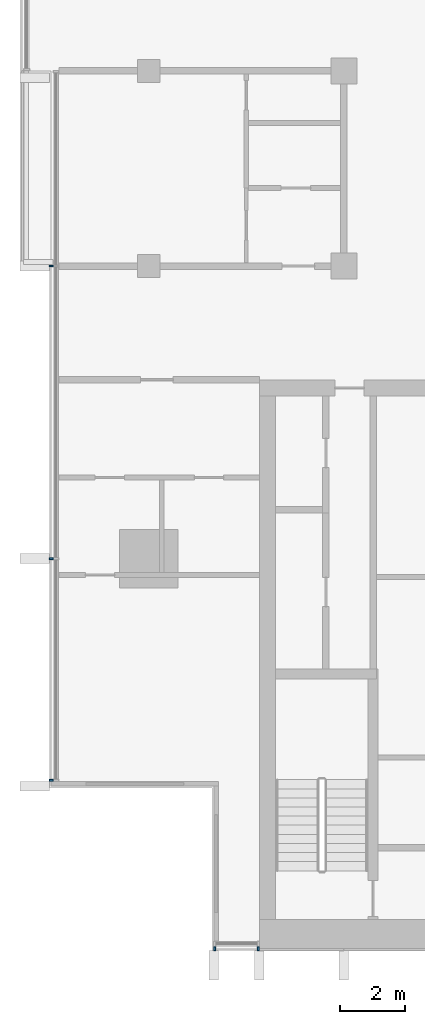
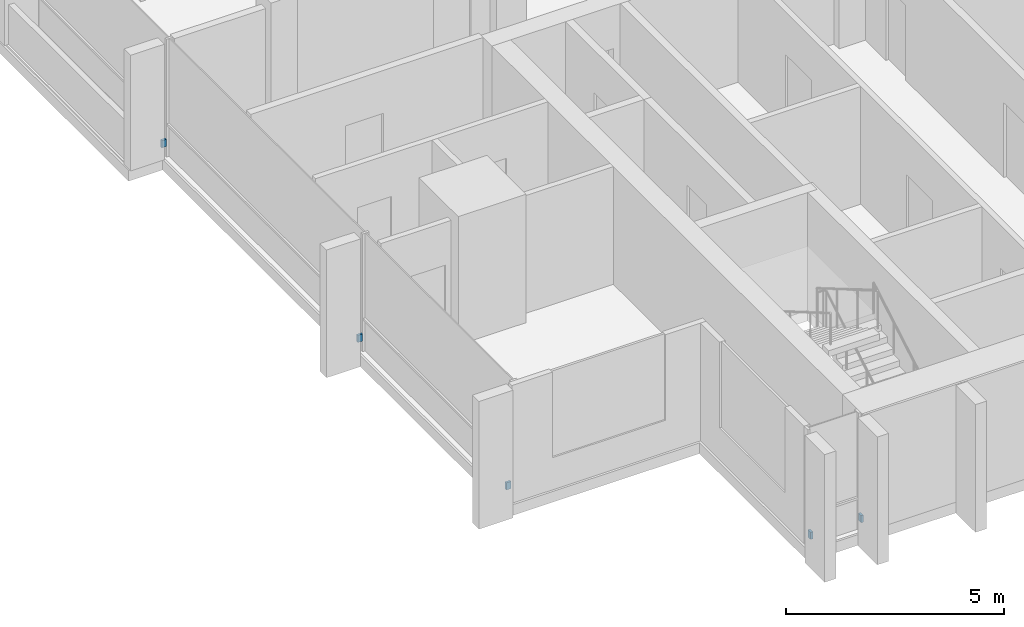
# One storey, part 12 of 16: 5 discrete accessories.
"""IFC4 building model written with IfcOpenShell, lengths in metres."""

from ifc_helpers import new_model, si_unit, direction, frame, origin, origin_2d, place, context, subcontext, project, spatial, rectangle, extrude, material, type_object, element, save


model = new_model("IFC4")

# Units and contexts
model_context = context("Model", 3, precision=1e-05, world=origin(), true_north=direction((0.0, 1.0)))
body_context = subcontext(model_context, "Body", "Model", "MODEL_VIEW")
ifc_project = project(units=[si_unit("LENGTHUNIT", "METRE"), si_unit("AREAUNIT", "SQUARE_METRE"), si_unit("VOLUMEUNIT", "CUBIC_METRE"), si_unit("PLANEANGLEUNIT", "RADIAN"), si_unit("MASSUNIT", "GRAM", prefix="KILO")], contexts=[model_context])

# Site, building, storey
site_placement = place(None, origin())
site = spatial("IfcSite", under=ifc_project, at=site_placement, CompositionType="ELEMENT")
building_placement = place(site_placement, origin())
building = spatial("IfcBuilding", under=site, at=building_placement, Name="Finial Court Residences", CompositionType="ELEMENT")
storey_placement = place(building_placement, frame((0.0, 0.0, 259.10009765625)))
storey = spatial("IfcBuildingStorey", under=building, at=storey_placement, Name="L65", CompositionType="ELEMENT", Elevation=259.10009765625)

# Discrete accessories
ifc_material = material(Name="Stainless steel 316", Category="steel")
discrete_accessory_type = type_object("IfcDiscreteAccessoryType", Name="Fin bracket, stainless steel 60 x 122 x 200", PredefinedType="BRACKET", material=ifc_material)
for number, where, z_axis, x_axis, name in (
    (1, (-14.469970703125, -25.498779296875, 0.2998046875), (0.0, 0.0, 1.0), (1.0, 0.0, 0.0), "E-L65-FIN-S13-BRK"),
    (2, (-13.1298828125, -25.498779296875, 0.2998046875), (0.0, 0.0, 1.0), (1.0, 0.0, 0.0), "E-L65-FIN-S14-BRK"),
):
    element("IfcDiscreteAccessory", number, at=place(storey_placement, frame(where, z_axis=z_axis, x_axis=x_axis)), inside=storey, type_object=discrete_accessory_type, Name=name, PredefinedType="BRACKET", context=body_context, shape_type="SweptSolid", body=[
        extrude(rectangle(XDim=0.06005859375, YDim=0.12255859375, at=origin_2d()), origin(), (0.0, 0.0, 1.0), 0.199951171875),
    ])
for number, where, z_axis, x_axis, name in (
    (3, (-19.498779296875, -20.320068359375, 0.2998046875), (0.0, 0.0, 1.0), (1.0, 0.0, 0.0), "E-L65-FIN-W21-BRK"),
    (4, (-19.498779296875, -13.5, 0.2998046875), (0.0, 0.0, 1.0), (1.0, 0.0, 0.0), "E-L65-FIN-W22-BRK"),
    (5, (-19.498779296875, -4.5, 0.2998046875), (0.0, 0.0, 1.0), (1.0, 0.0, 0.0), "E-L65-FIN-W23-BRK"),
):
    element("IfcDiscreteAccessory", number, at=place(storey_placement, frame(where, z_axis=z_axis, x_axis=x_axis)), inside=storey, type_object=discrete_accessory_type, Name=name, PredefinedType="BRACKET", context=body_context, shape_type="SweptSolid", body=[
        extrude(rectangle(XDim=0.12255859375, YDim=0.06005859375, at=origin_2d()), origin(), (0.0, 0.0, 1.0), 0.199951171875),
    ])

save(model, "model.ifc")
